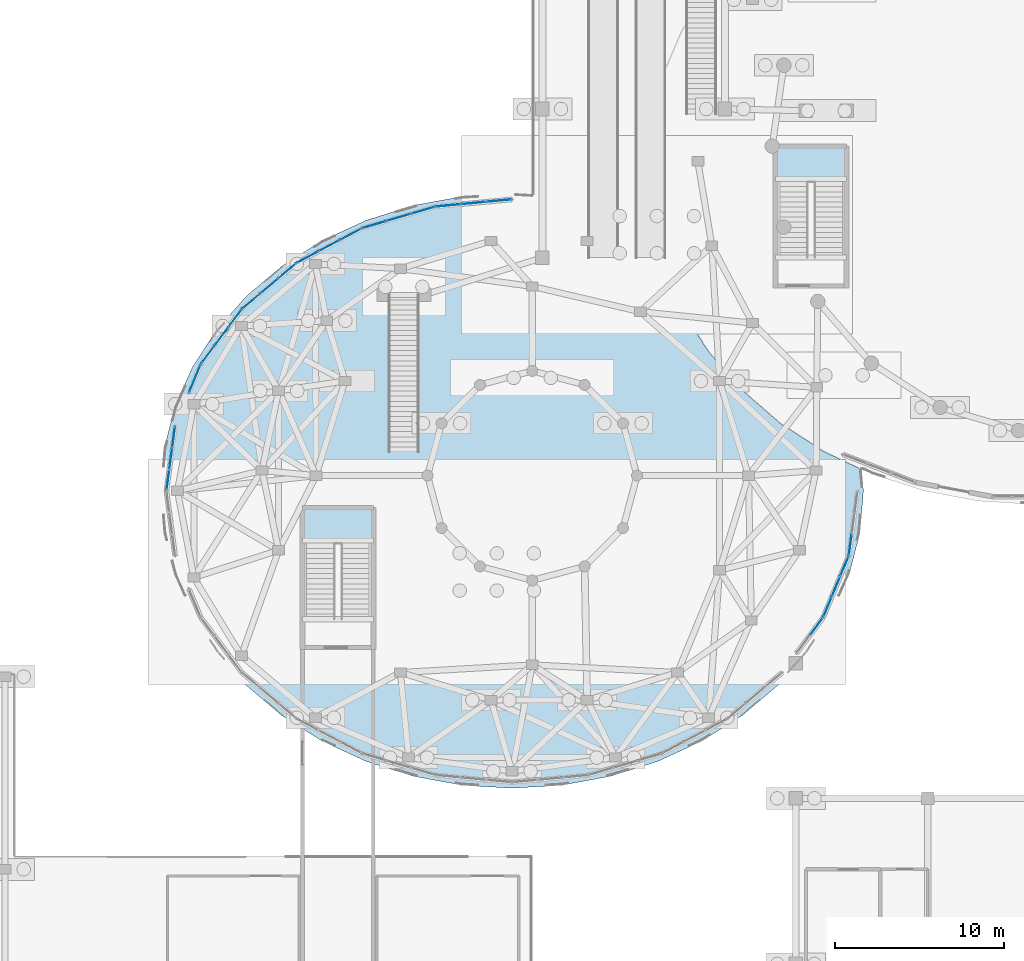
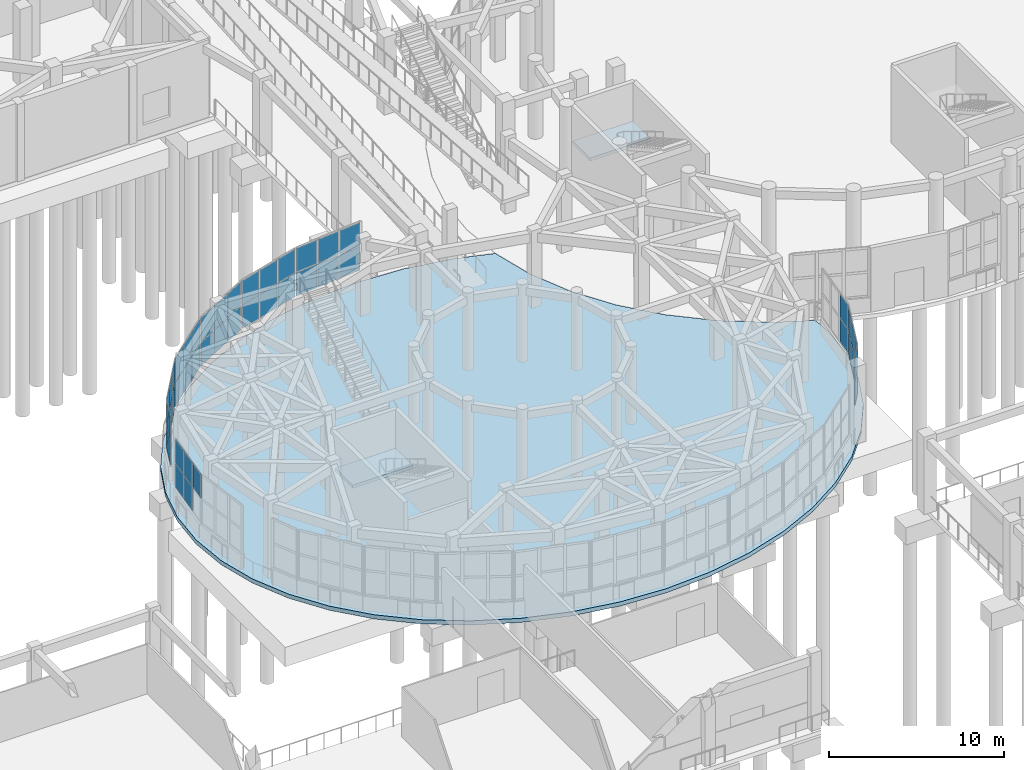
# One storey, part 60 of 96: 47 plates, 3 slabs, 12 elements without a shape of their own.
"""IFC4 building model written with IfcOpenShell, lengths in metres."""

from ifc_helpers import new_model, si_unit, direction, frame, origin, origin_2d, place, context, subcontext, project, spatial, polyline, rectangle, outline, extrude, material, layer, layer_set, type_object, element, aggregate, save


model = new_model("IFC4")

# Units and contexts
model_context = context("Model", 3, precision=1e-05, world=origin(), true_north=direction((0.0, 1.0)))
body_context = subcontext(model_context, "Body", "Model", "MODEL_VIEW")
ifc_project = project(units=[si_unit("LENGTHUNIT", "METRE"), si_unit("AREAUNIT", "SQUARE_METRE"), si_unit("VOLUMEUNIT", "CUBIC_METRE"), si_unit("PLANEANGLEUNIT", "RADIAN"), si_unit("MASSUNIT", "GRAM", prefix="KILO")], contexts=[model_context])

# Site, building, storey
site_placement = place(None, origin())
site = spatial("IfcSite", under=ifc_project, at=site_placement, CompositionType="ELEMENT")
building_placement = place(site_placement, origin())
building = spatial("IfcBuilding", under=site, at=building_placement, Name="Pelvatis Terrace Science Centre", CompositionType="ELEMENT")
storey_placement = place(building_placement, origin())
storey = spatial("IfcBuildingStorey", under=building, at=storey_placement, Name="L00", CompositionType="ELEMENT", Elevation=0.0)

# Curtain wall, plates
ifc_material_1 = material(Name="Bronze-anodised aluminium and laminated glass", Category="aluminium")
ifc_layer_1 = layer(ifc_material_1, 0.179931640625)
ifc_layer_set_1 = layer_set([ifc_layer_1], Name="Bronze-anodised aluminium and laminated glass")
curtain_wall_type = type_object("IfcCurtainWallType", Name="CW-RIBBON-A", PredefinedType="NOTDEFINED", material=ifc_layer_set_1)
curtain_wall_1_placement = place(storey_placement, origin())
curtain_wall_1 = element("IfcCurtainWall", 1, at=curtain_wall_1_placement, inside=storey, type_object=curtain_wall_type, Name="Ribbon curtain wall CW-001 (L00)", PredefinedType="NOTDEFINED")
ifc_material_2 = material(Name="Low-e laminated solar-control double glazing", Category="glass")
ifc_layer_2 = layer(ifc_material_2, 0.028076171875)
ifc_layer_set_2 = layer_set([ifc_layer_2], Name="Low-e laminated solar-control double glazing")
plate_type = type_object("IfcPlateType", Name="CWP-IGU-28", PredefinedType="CURTAIN_PANEL", material=ifc_layer_set_2)
plate_1_placement = place(storey_placement, frame((44.82666015625, 51.37646484375, 1.080078125), z_axis=(0.0, 0.0, 1.0), x_axis=(-0.995513840001, -0.094616036521, 0.0)))
plate_1 = element("IfcPlate", 2, at=plate_1_placement, type_object=plate_type, Name="CW-001 panel 1.1", PredefinedType="CURTAIN_PANEL", context=body_context, shape_type="SweptSolid", body=[
    extrude(rectangle(XDim=1.43359375, YDim=0.028076171875, at=origin_2d()), origin(), (0.0, 0.0, 1.0), 1.6298828125),
])
plate_2_placement = place(storey_placement, frame((44.82666015625, 51.37646484375, 2.77001953125), z_axis=(0.0, 0.0, 1.0), x_axis=(-0.995513840001, -0.094616036521, 0.0)))
plate_2 = element("IfcPlate", 3, at=plate_2_placement, type_object=plate_type, Name="CW-001 panel 1.2", PredefinedType="CURTAIN_PANEL", context=body_context, shape_type="SweptSolid", body=[
    extrude(rectangle(XDim=1.43359375, YDim=0.028076171875, at=origin_2d()), origin(), (0.0, 0.0, 1.0), 1.6298828125),
])
plate_3_placement = place(storey_placement, frame((43.32470703125, 51.233642578125, 1.080078125), z_axis=(0.0, 0.0, 1.0), x_axis=(-0.995513840001, -0.094616036521, 0.0)))
plate_3 = element("IfcPlate", 4, at=plate_3_placement, type_object=plate_type, Name="CW-001 panel 2.1", PredefinedType="CURTAIN_PANEL", context=body_context, shape_type="SweptSolid", body=[
    extrude(rectangle(XDim=1.463623046875, YDim=0.028076171875, at=origin_2d()), origin(), (0.0, 0.0, 1.0), 1.6298828125),
])
plate_4_placement = place(storey_placement, frame((43.32470703125, 51.233642578125, 2.77001953125), z_axis=(0.0, 0.0, 1.0), x_axis=(-0.995513840001, -0.094616036521, 0.0)))
plate_4 = element("IfcPlate", 5, at=plate_4_placement, type_object=plate_type, Name="CW-001 panel 2.2", PredefinedType="CURTAIN_PANEL", context=body_context, shape_type="SweptSolid", body=[
    extrude(rectangle(XDim=1.463623046875, YDim=0.028076171875, at=origin_2d()), origin(), (0.0, 0.0, 1.0), 1.6298828125),
])
plate_5_placement = place(storey_placement, frame((41.82275390625, 51.091064453125, 1.080078125), z_axis=(0.0, 0.0, 1.0), x_axis=(-0.995513840001, -0.094616036521, 0.0)))
plate_5 = element("IfcPlate", 6, at=plate_5_placement, type_object=plate_type, Name="CW-001 panel 3.1", PredefinedType="CURTAIN_PANEL", context=body_context, shape_type="SweptSolid", body=[
    extrude(rectangle(XDim=1.43359375, YDim=0.028076171875, at=origin_2d()), origin(), (0.0, 0.0, 1.0), 1.6298828125),
])
plate_6_placement = place(storey_placement, frame((41.82275390625, 51.091064453125, 2.77001953125), z_axis=(0.0, 0.0, 1.0), x_axis=(-0.995513840001, -0.094616036521, 0.0)))
plate_6 = element("IfcPlate", 7, at=plate_6_placement, type_object=plate_type, Name="CW-001 panel 3.2", PredefinedType="CURTAIN_PANEL", context=body_context, shape_type="SweptSolid", body=[
    extrude(rectangle(XDim=1.43359375, YDim=0.028076171875, at=origin_2d()), origin(), (0.0, 0.0, 1.0), 1.6298828125),
])
aggregate(curtain_wall_1, [plate_1, plate_2, plate_3, plate_4, plate_5, plate_6])

curtain_wall_2_placement = place(storey_placement, origin())
curtain_wall_2 = element("IfcCurtainWall", 8, at=curtain_wall_2_placement, inside=storey, type_object=curtain_wall_type, Name="Ribbon curtain wall CW-002 (L00)", PredefinedType="NOTDEFINED")
plate_7_placement = place(storey_placement, frame((40.314697265625, 50.800537109375, 1.080078125), z_axis=(0.0, 0.0, 1.0), x_axis=(-0.959092633575, -0.283092423463, 0.0)))
plate_7 = element("IfcPlate", 9, at=plate_7_placement, type_object=plate_type, Name="CW-002 panel 1.1", PredefinedType="CURTAIN_PANEL", context=body_context, shape_type="SweptSolid", body=[
    extrude(rectangle(XDim=1.412109375, YDim=0.028076171875, at=origin_2d()), origin(), (0.0, 0.0, 1.0), 1.6298828125),
])
plate_8_placement = place(storey_placement, frame((40.314697265625, 50.800537109375, 2.77001953125), z_axis=(0.0, 0.0, 1.0), x_axis=(-0.959092633575, -0.283092423463, 0.0)))
plate_8 = element("IfcPlate", 10, at=plate_8_placement, type_object=plate_type, Name="CW-002 panel 1.2", PredefinedType="CURTAIN_PANEL", context=body_context, shape_type="SweptSolid", body=[
    extrude(rectangle(XDim=1.412109375, YDim=0.028076171875, at=origin_2d()), origin(), (0.0, 0.0, 1.0), 1.6298828125),
])
plate_9_placement = place(storey_placement, frame((38.88818359375, 50.379638671875, 1.080078125), z_axis=(0.0, 0.0, 1.0), x_axis=(-0.959092633575, -0.283092423463, 0.0)))
plate_9 = element("IfcPlate", 11, at=plate_9_placement, type_object=plate_type, Name="CW-002 panel 2.1", PredefinedType="CURTAIN_PANEL", context=body_context, shape_type="SweptSolid", body=[
    extrude(rectangle(XDim=1.442138671875, YDim=0.028076171875, at=origin_2d()), origin(), (0.0, 0.0, 1.0), 1.6298828125),
])
plate_10_placement = place(storey_placement, frame((38.88818359375, 50.379638671875, 2.77001953125), z_axis=(0.0, 0.0, 1.0), x_axis=(-0.959092633575, -0.283092423463, 0.0)))
plate_10 = element("IfcPlate", 12, at=plate_10_placement, type_object=plate_type, Name="CW-002 panel 2.2", PredefinedType="CURTAIN_PANEL", context=body_context, shape_type="SweptSolid", body=[
    extrude(rectangle(XDim=1.442138671875, YDim=0.028076171875, at=origin_2d()), origin(), (0.0, 0.0, 1.0), 1.6298828125),
])
plate_11_placement = place(storey_placement, frame((37.4619140625, 49.95849609375, 1.080078125), z_axis=(0.0, 0.0, 1.0), x_axis=(-0.959092633575, -0.283092423463, 0.0)))
plate_11 = element("IfcPlate", 13, at=plate_11_placement, type_object=plate_type, Name="CW-002 panel 3.1", PredefinedType="CURTAIN_PANEL", context=body_context, shape_type="SweptSolid", body=[
    extrude(rectangle(XDim=1.412109375, YDim=0.028076171875, at=origin_2d()), origin(), (0.0, 0.0, 1.0), 1.6298828125),
])
plate_12_placement = place(storey_placement, frame((37.4619140625, 49.95849609375, 2.77001953125), z_axis=(0.0, 0.0, 1.0), x_axis=(-0.959092633575, -0.283092423463, 0.0)))
plate_12 = element("IfcPlate", 14, at=plate_12_placement, type_object=plate_type, Name="CW-002 panel 3.2", PredefinedType="CURTAIN_PANEL", context=body_context, shape_type="SweptSolid", body=[
    extrude(rectangle(XDim=1.412109375, YDim=0.028076171875, at=origin_2d()), origin(), (0.0, 0.0, 1.0), 1.6298828125),
])
aggregate(curtain_wall_2, [plate_7, plate_8, plate_9, plate_10, plate_11, plate_12])

curtain_wall_3_placement = place(storey_placement, origin())
curtain_wall_3 = element("IfcCurtainWall", 15, at=curtain_wall_3_placement, inside=storey, type_object=curtain_wall_type, Name="Ribbon curtain wall CW-003 (L00)", PredefinedType="NOTDEFINED")
plate_13_placement = place(storey_placement, frame((36.067626953125, 49.39208984375, 1.080078125), z_axis=(0.0, 0.0, 1.0), x_axis=(-0.88357054279, -0.468298084466, 0.0)))
plate_13 = element("IfcPlate", 16, at=plate_13_placement, type_object=plate_type, Name="CW-003 panel 1.1", PredefinedType="CURTAIN_PANEL", context=body_context, shape_type="SweptSolid", body=[
    extrude(rectangle(XDim=1.372802734375, YDim=0.028076171875, at=origin_2d()), origin(), (0.0, 0.0, 1.0), 1.6298828125),
])
plate_14_placement = place(storey_placement, frame((36.067626953125, 49.39208984375, 2.77001953125), z_axis=(0.0, 0.0, 1.0), x_axis=(-0.88357054279, -0.468298084466, 0.0)))
plate_14 = element("IfcPlate", 17, at=plate_14_placement, type_object=plate_type, Name="CW-003 panel 1.2", PredefinedType="CURTAIN_PANEL", context=body_context, shape_type="SweptSolid", body=[
    extrude(rectangle(XDim=1.372802734375, YDim=0.028076171875, at=origin_2d()), origin(), (0.0, 0.0, 1.0), 1.6298828125),
])
plate_15_placement = place(storey_placement, frame((34.788330078125, 48.714111328125, 1.080078125), z_axis=(0.0, 0.0, 1.0), x_axis=(-0.88357054279, -0.468298084466, 0.0)))
plate_15 = element("IfcPlate", 18, at=plate_15_placement, type_object=plate_type, Name="CW-003 panel 2.1", PredefinedType="CURTAIN_PANEL", context=body_context, shape_type="SweptSolid", body=[
    extrude(rectangle(XDim=1.40283203125, YDim=0.028076171875, at=origin_2d()), origin(), (0.0, 0.0, 1.0), 1.6298828125),
])
plate_16_placement = place(storey_placement, frame((34.788330078125, 48.714111328125, 2.77001953125), z_axis=(0.0, 0.0, 1.0), x_axis=(-0.88357054279, -0.468298084466, 0.0)))
plate_16 = element("IfcPlate", 19, at=plate_16_placement, type_object=plate_type, Name="CW-003 panel 2.2", PredefinedType="CURTAIN_PANEL", context=body_context, shape_type="SweptSolid", body=[
    extrude(rectangle(XDim=1.40283203125, YDim=0.028076171875, at=origin_2d()), origin(), (0.0, 0.0, 1.0), 1.6298828125),
])
plate_17_placement = place(storey_placement, frame((33.509033203125, 48.0361328125, 1.080078125), z_axis=(0.0, 0.0, 1.0), x_axis=(-0.88357054279, -0.468298084466, 0.0)))
plate_17 = element("IfcPlate", 20, at=plate_17_placement, type_object=plate_type, Name="CW-003 panel 3.1", PredefinedType="CURTAIN_PANEL", context=body_context, shape_type="SweptSolid", body=[
    extrude(rectangle(XDim=1.372802734375, YDim=0.028076171875, at=origin_2d()), origin(), (0.0, 0.0, 1.0), 1.6298828125),
])
plate_18_placement = place(storey_placement, frame((33.509033203125, 48.0361328125, 2.77001953125), z_axis=(0.0, 0.0, 1.0), x_axis=(-0.88357054279, -0.468298084466, 0.0)))
plate_18 = element("IfcPlate", 21, at=plate_18_placement, type_object=plate_type, Name="CW-003 panel 3.2", PredefinedType="CURTAIN_PANEL", context=body_context, shape_type="SweptSolid", body=[
    extrude(rectangle(XDim=1.372802734375, YDim=0.028076171875, at=origin_2d()), origin(), (0.0, 0.0, 1.0), 1.6298828125),
])
aggregate(curtain_wall_3, [plate_13, plate_14, plate_15, plate_16, plate_17, plate_18])

curtain_wall_4_placement = place(storey_placement, origin())
curtain_wall_4 = element("IfcCurtainWall", 22, at=curtain_wall_4_placement, inside=storey, type_object=curtain_wall_type, Name="Ribbon curtain wall CW-004 (L00)", PredefinedType="NOTDEFINED")
plate_19_placement = place(storey_placement, frame((32.29833984375, 47.2216796875, 1.080078125), z_axis=(0.0, 0.0, 1.0), x_axis=(-0.764378372192, -0.64476794595, 0.0)))
plate_19 = element("IfcPlate", 23, at=plate_19_placement, type_object=plate_type, Name="CW-004 panel 1.1", PredefinedType="CURTAIN_PANEL", context=body_context, shape_type="SweptSolid", body=[
    extrude(rectangle(XDim=1.322021484375, YDim=0.028076171875, at=origin_2d()), origin(), (0.0, 0.0, 1.0), 1.6298828125),
])
plate_20_placement = place(storey_placement, frame((32.29833984375, 47.2216796875, 2.77001953125), z_axis=(0.0, 0.0, 1.0), x_axis=(-0.764378372192, -0.64476794595, 0.0)))
plate_20 = element("IfcPlate", 24, at=plate_20_placement, type_object=plate_type, Name="CW-004 panel 1.2", PredefinedType="CURTAIN_PANEL", context=body_context, shape_type="SweptSolid", body=[
    extrude(rectangle(XDim=1.322021484375, YDim=0.028076171875, at=origin_2d()), origin(), (0.0, 0.0, 1.0), 1.6298828125),
])
plate_21_placement = place(storey_placement, frame((31.23046875, 46.32080078125, 1.080078125), z_axis=(0.0, 0.0, 1.0), x_axis=(-0.764378372192, -0.64476794595, 0.0)))
plate_21 = element("IfcPlate", 25, at=plate_21_placement, type_object=plate_type, Name="CW-004 panel 2.1", PredefinedType="CURTAIN_PANEL", context=body_context, shape_type="SweptSolid", body=[
    extrude(rectangle(XDim=1.35205078125, YDim=0.028076171875, at=origin_2d()), origin(), (0.0, 0.0, 1.0), 1.6298828125),
])
plate_22_placement = place(storey_placement, frame((31.23046875, 46.32080078125, 2.77001953125), z_axis=(0.0, 0.0, 1.0), x_axis=(-0.764378372192, -0.64476794595, 0.0)))
plate_22 = element("IfcPlate", 26, at=plate_22_placement, type_object=plate_type, Name="CW-004 panel 2.2", PredefinedType="CURTAIN_PANEL", context=body_context, shape_type="SweptSolid", body=[
    extrude(rectangle(XDim=1.35205078125, YDim=0.028076171875, at=origin_2d()), origin(), (0.0, 0.0, 1.0), 1.6298828125),
])
plate_23_placement = place(storey_placement, frame((30.16259765625, 45.420166015625, 1.080078125), z_axis=(0.0, 0.0, 1.0), x_axis=(-0.764378372192, -0.64476794595, 0.0)))
plate_23 = element("IfcPlate", 27, at=plate_23_placement, type_object=plate_type, Name="CW-004 panel 3.1", PredefinedType="CURTAIN_PANEL", context=body_context, shape_type="SweptSolid", body=[
    extrude(rectangle(XDim=1.322021484375, YDim=0.028076171875, at=origin_2d()), origin(), (0.0, 0.0, 1.0), 1.6298828125),
])
plate_24_placement = place(storey_placement, frame((30.16259765625, 45.420166015625, 2.77001953125), z_axis=(0.0, 0.0, 1.0), x_axis=(-0.764378372192, -0.64476794595, 0.0)))
plate_24 = element("IfcPlate", 28, at=plate_24_placement, type_object=plate_type, Name="CW-004 panel 3.2", PredefinedType="CURTAIN_PANEL", context=body_context, shape_type="SweptSolid", body=[
    extrude(rectangle(XDim=1.322021484375, YDim=0.028076171875, at=origin_2d()), origin(), (0.0, 0.0, 1.0), 1.6298828125),
])
aggregate(curtain_wall_4, [plate_19, plate_20, plate_21, plate_22, plate_23, plate_24])

curtain_wall_5_placement = place(storey_placement, origin())
curtain_wall_5 = element("IfcCurtainWall", 29, at=curtain_wall_5_placement, inside=storey, type_object=curtain_wall_type, Name="Ribbon curtain wall CW-005 (L00)", PredefinedType="NOTDEFINED")
plate_25_placement = place(storey_placement, frame((29.196533203125, 44.39794921875, 1.080078125), z_axis=(0.0, 0.0, 1.0), x_axis=(-0.597372187903, -0.801964132065, 0.0)))
plate_25 = element("IfcPlate", 30, at=plate_25_placement, type_object=plate_type, Name="CW-005 panel 1.1", PredefinedType="CURTAIN_PANEL", context=body_context, shape_type="SweptSolid", body=[
    extrude(rectangle(XDim=1.26953125, YDim=0.028076171875, at=origin_2d()), origin(), (0.0, 0.0, 1.0), 1.6298828125),
])
plate_26_placement = place(storey_placement, frame((29.196533203125, 44.39794921875, 2.77001953125), z_axis=(0.0, 0.0, 1.0), x_axis=(-0.597372187903, -0.801964132065, 0.0)))
plate_26 = element("IfcPlate", 31, at=plate_26_placement, type_object=plate_type, Name="CW-005 panel 1.2", PredefinedType="CURTAIN_PANEL", context=body_context, shape_type="SweptSolid", body=[
    extrude(rectangle(XDim=1.26953125, YDim=0.028076171875, at=origin_2d()), origin(), (0.0, 0.0, 1.0), 1.6298828125),
])
plate_27_placement = place(storey_placement, frame((28.393310546875, 43.31982421875, 1.080078125), z_axis=(0.0, 0.0, 1.0), x_axis=(-0.597372187903, -0.801964132065, 0.0)))
plate_27 = element("IfcPlate", 32, at=plate_27_placement, type_object=plate_type, Name="CW-005 panel 2.1", PredefinedType="CURTAIN_PANEL", context=body_context, shape_type="SweptSolid", body=[
    extrude(rectangle(XDim=1.299560546875, YDim=0.028076171875, at=origin_2d()), origin(), (0.0, 0.0, 1.0), 1.6298828125),
])
plate_28_placement = place(storey_placement, frame((28.393310546875, 43.31982421875, 2.77001953125), z_axis=(0.0, 0.0, 1.0), x_axis=(-0.597372187903, -0.801964132065, 0.0)))
plate_28 = element("IfcPlate", 33, at=plate_28_placement, type_object=plate_type, Name="CW-005 panel 2.2", PredefinedType="CURTAIN_PANEL", context=body_context, shape_type="SweptSolid", body=[
    extrude(rectangle(XDim=1.299560546875, YDim=0.028076171875, at=origin_2d()), origin(), (0.0, 0.0, 1.0), 1.6298828125),
])
plate_29_placement = place(storey_placement, frame((27.59033203125, 42.24169921875, 1.080078125), z_axis=(0.0, 0.0, 1.0), x_axis=(-0.597372187903, -0.801964132065, 0.0)))
plate_29 = element("IfcPlate", 34, at=plate_29_placement, type_object=plate_type, Name="CW-005 panel 3.1", PredefinedType="CURTAIN_PANEL", context=body_context, shape_type="SweptSolid", body=[
    extrude(rectangle(XDim=1.26953125, YDim=0.028076171875, at=origin_2d()), origin(), (0.0, 0.0, 1.0), 1.6298828125),
])
plate_30_placement = place(storey_placement, frame((27.59033203125, 42.24169921875, 2.77001953125), z_axis=(0.0, 0.0, 1.0), x_axis=(-0.597372187903, -0.801964132065, 0.0)))
plate_30 = element("IfcPlate", 35, at=plate_30_placement, type_object=plate_type, Name="CW-005 panel 3.2", PredefinedType="CURTAIN_PANEL", context=body_context, shape_type="SweptSolid", body=[
    extrude(rectangle(XDim=1.26953125, YDim=0.028076171875, at=origin_2d()), origin(), (0.0, 0.0, 1.0), 1.6298828125),
])
aggregate(curtain_wall_5, [plate_25, plate_26, plate_27, plate_28, plate_29, plate_30])

curtain_wall_6_placement = place(storey_placement, origin())
curtain_wall_6 = element("IfcCurtainWall", 36, at=curtain_wall_6_placement, inside=storey, type_object=curtain_wall_type, Name="Ribbon curtain wall CW-006 (L00)", PredefinedType="NOTDEFINED")
plate_31_placement = place(storey_placement, frame((26.824462890625, 40.839111328125, 1.080078125), z_axis=(0.0, 0.0, 1.0), x_axis=(-0.383179855854, -0.923673750881, 0.0)))
plate_31 = element("IfcPlate", 37, at=plate_31_placement, type_object=plate_type, Name="CW-006 panel 1.1", PredefinedType="CURTAIN_PANEL", context=body_context, shape_type="SweptSolid", body=[
    extrude(rectangle(XDim=1.710693359375, YDim=0.028076171875, at=origin_2d()), origin(), (0.0, 0.0, 1.0), 1.6298828125),
])
plate_32_placement = place(storey_placement, frame((26.824462890625, 40.839111328125, 2.77001953125), z_axis=(0.0, 0.0, 1.0), x_axis=(-0.383179855854, -0.923673750881, 0.0)))
plate_32 = element("IfcPlate", 38, at=plate_32_placement, type_object=plate_type, Name="CW-006 panel 1.2", PredefinedType="CURTAIN_PANEL", context=body_context, shape_type="SweptSolid", body=[
    extrude(rectangle(XDim=1.710693359375, YDim=0.028076171875, at=origin_2d()), origin(), (0.0, 0.0, 1.0), 1.6298828125),
])
aggregate(curtain_wall_6, [plate_31, plate_32])

curtain_wall_7_placement = place(storey_placement, origin())
curtain_wall_7 = element("IfcCurtainWall", 39, at=curtain_wall_7_placement, inside=storey, type_object=curtain_wall_type, Name="Ribbon curtain wall CW-007 (L00)", PredefinedType="NOTDEFINED")
plate_33_placement = place(storey_placement, frame((25.5751953125, 37.3837890625, 1.080078125), z_axis=(0.0, 0.0, 1.0), x_axis=(-0.132392059832, -0.991197428615, 0.0)))
plate_33 = element("IfcPlate", 40, at=plate_33_placement, type_object=plate_type, Name="CW-007 panel 1.1", PredefinedType="CURTAIN_PANEL", context=body_context, shape_type="SweptSolid", body=[
    extrude(rectangle(XDim=1.200927734375, YDim=0.028076171875, at=origin_2d()), origin(), (0.0, 0.0, 1.0), 1.6298828125),
])
plate_34_placement = place(storey_placement, frame((25.5751953125, 37.3837890625, 2.77001953125), z_axis=(0.0, 0.0, 1.0), x_axis=(-0.132392059832, -0.991197428615, 0.0)))
plate_34 = element("IfcPlate", 41, at=plate_34_placement, type_object=plate_type, Name="CW-007 panel 1.2", PredefinedType="CURTAIN_PANEL", context=body_context, shape_type="SweptSolid", body=[
    extrude(rectangle(XDim=1.200927734375, YDim=0.028076171875, at=origin_2d()), origin(), (0.0, 0.0, 1.0), 1.6298828125),
])
plate_35_placement = place(storey_placement, frame((25.40625, 36.119140625, 1.080078125), z_axis=(0.0, 0.0, 1.0), x_axis=(-0.132392059832, -0.991197428615, 0.0)))
plate_35 = element("IfcPlate", 42, at=plate_35_placement, type_object=plate_type, Name="CW-007 panel 2.1", PredefinedType="CURTAIN_PANEL", context=body_context, shape_type="SweptSolid", body=[
    extrude(rectangle(XDim=1.23095703125, YDim=0.028076171875, at=origin_2d()), origin(), (0.0, 0.0, 1.0), 1.6298828125),
])
plate_36_placement = place(storey_placement, frame((25.40625, 36.119140625, 2.77001953125), z_axis=(0.0, 0.0, 1.0), x_axis=(-0.132392059832, -0.991197428615, 0.0)))
plate_36 = element("IfcPlate", 43, at=plate_36_placement, type_object=plate_type, Name="CW-007 panel 2.2", PredefinedType="CURTAIN_PANEL", context=body_context, shape_type="SweptSolid", body=[
    extrude(rectangle(XDim=1.23095703125, YDim=0.028076171875, at=origin_2d()), origin(), (0.0, 0.0, 1.0), 1.6298828125),
])
plate_37_placement = place(storey_placement, frame((25.237548828125, 34.854736328125, 2.77001953125), z_axis=(0.0, 0.0, 1.0), x_axis=(-0.132392059832, -0.991197428615, 0.0)))
plate_37 = element("IfcPlate", 44, at=plate_37_placement, type_object=plate_type, Name="CW-007 panel 3.2", PredefinedType="CURTAIN_PANEL", context=body_context, shape_type="SweptSolid", body=[
    extrude(rectangle(XDim=1.200927734375, YDim=0.028076171875, at=origin_2d()), origin(), (0.0, 0.0, 1.0), 1.6298828125),
])
aggregate(curtain_wall_7, [plate_33, plate_34, plate_35, plate_36, plate_37])

curtain_wall_8_placement = place(storey_placement, origin())
curtain_wall_8 = element("IfcCurtainWall", 45, at=curtain_wall_8_placement, inside=storey, type_object=curtain_wall_type, Name="Ribbon curtain wall CW-019 (L00)", PredefinedType="NOTDEFINED")
plate_38_placement = place(storey_placement, frame((63.620361328125, 26.172607421875, 1.080078125), z_axis=(0.0, 0.0, 1.0), x_axis=(0.597356582672, 0.801975755954, 0.0)))
plate_38 = element("IfcPlate", 46, at=plate_38_placement, type_object=plate_type, Name="CW-019 panel 2.1", PredefinedType="CURTAIN_PANEL", context=body_context, shape_type="SweptSolid", body=[
    extrude(rectangle(XDim=1.234130859375, YDim=0.028076171875, at=origin_2d()), origin(), (0.0, 0.0, 1.0), 1.6298828125),
])
plate_39_placement = place(storey_placement, frame((63.620361328125, 26.172607421875, 2.77001953125), z_axis=(0.0, 0.0, 1.0), x_axis=(0.597356582672, 0.801975755954, 0.0)))
plate_39 = element("IfcPlate", 47, at=plate_39_placement, type_object=plate_type, Name="CW-019 panel 2.2", PredefinedType="CURTAIN_PANEL", context=body_context, shape_type="SweptSolid", body=[
    extrude(rectangle(XDim=1.234130859375, YDim=0.028076171875, at=origin_2d()), origin(), (0.0, 0.0, 1.0), 1.6298828125),
])
aggregate(curtain_wall_8, [plate_38, plate_39])

curtain_wall_9_placement = place(storey_placement, origin())
curtain_wall_9 = element("IfcCurtainWall", 48, at=curtain_wall_9_placement, inside=storey, type_object=curtain_wall_type, Name="Ribbon curtain wall CW-020 (L00)", PredefinedType="NOTDEFINED")
plate_40_placement = place(storey_placement, frame((64.28271484375, 27.3369140625, 1.080078125), z_axis=(0.0, 0.0, 1.0), x_axis=(0.383175829546, 0.923675421158, 0.0)))
plate_40 = element("IfcPlate", 49, at=plate_40_placement, type_object=plate_type, Name="CW-020 panel 1.1", PredefinedType="CURTAIN_PANEL", context=body_context, shape_type="SweptSolid", body=[
    extrude(rectangle(XDim=1.225830078125, YDim=0.028076171875, at=origin_2d()), origin(), (0.0, 0.0, 1.0), 1.6298828125),
])
plate_41_placement = place(storey_placement, frame((64.28271484375, 27.3369140625, 2.77001953125), z_axis=(0.0, 0.0, 1.0), x_axis=(0.383175829546, 0.923675421158, 0.0)))
plate_41 = element("IfcPlate", 50, at=plate_41_placement, type_object=plate_type, Name="CW-020 panel 1.2", PredefinedType="CURTAIN_PANEL", context=body_context, shape_type="SweptSolid", body=[
    extrude(rectangle(XDim=1.225830078125, YDim=0.028076171875, at=origin_2d()), origin(), (0.0, 0.0, 1.0), 1.6298828125),
])
plate_42_placement = place(storey_placement, frame((64.781005859375, 28.53857421875, 1.080078125), z_axis=(0.0, 0.0, 1.0), x_axis=(0.383175829546, 0.923675421158, 0.0)))
plate_42 = element("IfcPlate", 51, at=plate_42_placement, type_object=plate_type, Name="CW-020 panel 2.1", PredefinedType="CURTAIN_PANEL", context=body_context, shape_type="SweptSolid", body=[
    extrude(rectangle(XDim=1.255859375, YDim=0.028076171875, at=origin_2d()), origin(), (0.0, 0.0, 1.0), 1.6298828125),
])
plate_43_placement = place(storey_placement, frame((64.781005859375, 28.53857421875, 2.77001953125), z_axis=(0.0, 0.0, 1.0), x_axis=(0.383175829546, 0.923675421158, 0.0)))
plate_43 = element("IfcPlate", 52, at=plate_43_placement, type_object=plate_type, Name="CW-020 panel 2.2", PredefinedType="CURTAIN_PANEL", context=body_context, shape_type="SweptSolid", body=[
    extrude(rectangle(XDim=1.255859375, YDim=0.028076171875, at=origin_2d()), origin(), (0.0, 0.0, 1.0), 1.6298828125),
])
plate_44_placement = place(storey_placement, frame((65.279541015625, 29.739990234375, 1.080078125), z_axis=(0.0, 0.0, 1.0), x_axis=(0.383175829546, 0.923675421158, 0.0)))
plate_44 = element("IfcPlate", 53, at=plate_44_placement, type_object=plate_type, Name="CW-020 panel 3.1", PredefinedType="CURTAIN_PANEL", context=body_context, shape_type="SweptSolid", body=[
    extrude(rectangle(XDim=1.225830078125, YDim=0.028076171875, at=origin_2d()), origin(), (0.0, 0.0, 1.0), 1.6298828125),
])
plate_45_placement = place(storey_placement, frame((65.279541015625, 29.739990234375, 2.77001953125), z_axis=(0.0, 0.0, 1.0), x_axis=(0.383175829546, 0.923675421158, 0.0)))
plate_45 = element("IfcPlate", 54, at=plate_45_placement, type_object=plate_type, Name="CW-020 panel 3.2", PredefinedType="CURTAIN_PANEL", context=body_context, shape_type="SweptSolid", body=[
    extrude(rectangle(XDim=1.225830078125, YDim=0.028076171875, at=origin_2d()), origin(), (0.0, 0.0, 1.0), 1.6298828125),
])
aggregate(curtain_wall_9, [plate_40, plate_41, plate_42, plate_43, plate_44, plate_45])

curtain_wall_10_placement = place(storey_placement, origin())
curtain_wall_10 = element("IfcCurtainWall", 55, at=curtain_wall_10_placement, inside=storey, type_object=curtain_wall_type, Name="Ribbon curtain wall CW-021 (L00)", PredefinedType="NOTDEFINED")
plate_46_placement = place(storey_placement, frame((65.624755859375, 31.01611328125, 1.080078125), z_axis=(0.0, 0.0, 1.0), x_axis=(0.132392059832, 0.991197428615, 0.0)))
plate_46 = element("IfcPlate", 56, at=plate_46_placement, type_object=plate_type, Name="CW-021 panel 1.1", PredefinedType="CURTAIN_PANEL", context=body_context, shape_type="SweptSolid", body=[
    extrude(rectangle(XDim=1.200927734375, YDim=0.028076171875, at=origin_2d()), origin(), (0.0, 0.0, 1.0), 1.6298828125),
])
plate_47_placement = place(storey_placement, frame((65.624755859375, 31.01611328125, 2.77001953125), z_axis=(0.0, 0.0, 1.0), x_axis=(0.132392059832, 0.991197428615, 0.0)))
plate_47 = element("IfcPlate", 57, at=plate_47_placement, type_object=plate_type, Name="CW-021 panel 1.2", PredefinedType="CURTAIN_PANEL", context=body_context, shape_type="SweptSolid", body=[
    extrude(rectangle(XDim=1.200927734375, YDim=0.028076171875, at=origin_2d()), origin(), (0.0, 0.0, 1.0), 1.6298828125),
])
aggregate(curtain_wall_10, [plate_46, plate_47])

# Slab
ifc_material_3 = material(Name="Concrete C35/45", Category="concrete")
ifc_layer_3 = layer(ifc_material_3, 0.2900390625)
ifc_layer_set_3 = layer_set([ifc_layer_3], Name="Concrete C35/45")
slab_type_1 = type_object("IfcSlabType", Name="SLB-BASE-290", PredefinedType="BASESLAB", material=ifc_layer_set_3)
slab_1_placement = place(storey_placement, frame((0.0, 0.0, -0.2900390625)))
element("IfcSlab", 58, at=slab_1_placement, inside=storey, type_object=slab_type_1, Name="L00 Entrance Oculus Rotunda nested spiral slab", PredefinedType="BASESLAB", context=body_context, shape_type="SweptSolid", body=[
    extrude(outline(polyline([(66.188232421875, 31.6953125), (65.5576171875, 29.241455078125), (64.520263671875, 26.888671875), (63.09814453125, 24.684814453125), (61.319580078125, 22.674560546875), (59.22119140625, 20.898681640625), (56.84521484375, 19.393798828125), (54.240478515625, 18.1904296875), (51.4599609375, 17.31298828125), (48.56005859375, 16.779052734375), (45.60009765625, 16.60009765625), (42.639892578125, 16.779052734375), (39.739990234375, 17.31298828125), (36.95947265625, 18.1904296875), (34.354736328125, 19.393798828125), (31.97900390625, 20.898681640625), (29.88037109375, 22.674560546875), (28.101806640625, 24.684814453125), (26.6796875, 26.888671875), (25.642578125, 29.241455078125), (25.01171875, 31.6953125), (24.800048828125, 34.199951171875), (25.01171875, 36.70458984375), (25.642578125, 39.158447265625), (26.6796875, 41.51123046875), (28.101806640625, 43.71533203125), (29.88037109375, 45.7255859375), (31.97900390625, 47.501220703125), (34.354736328125, 49.006103515625), (36.95947265625, 50.20947265625), (39.739990234375, 51.087158203125), (42.639892578125, 51.620849609375), (45.60009765625, 51.800048828125), (48.56005859375, 51.620849609375), (51.4599609375, 51.087158203125), (53.821533203125, 50.341796875), (54.504638671875, 47.615234375), (55.64208984375, 44.966796875), (57.204345703125, 42.482177734375), (59.15576171875, 40.21875), (61.4560546875, 38.22119140625), (64.0625, 36.5263671875), (66.292724609375, 35.468505859375), (66.39990234375, 34.199951171875), (66.188232421875, 31.6953125)])), origin(), (0.0, 0.0, 1.0), 0.2900390625),
])

# Stair, slab
ifc_material_4 = material(Name="Concrete C35/45", Category="concrete")
stair_type = type_object("IfcStairType", Name="STR-2RUN-1650-54", PredefinedType="TWO_STRAIGHT_RUN_STAIR", material=ifc_material_4)
stair_1_placement = place(storey_placement, origin())
stair_1 = element("IfcStair", 59, at=stair_1_placement, inside=storey, type_object=stair_type, Name="Protected exit stair ST-05-L00", PredefinedType="TWO_STRAIGHT_RUN_STAIR")
ifc_material_5 = material(Name="Concrete C35/45", Category="concrete")
ifc_layer_4 = layer(ifc_material_5, 0.215087890625)
ifc_layer_set_4 = layer_set([ifc_layer_4], Name="Concrete C35/45")
slab_type_2 = type_object("IfcSlabType", Name="SLB-LND-215", PredefinedType="LANDING", material=ifc_layer_set_4)
slab_2_placement = place(storey_placement, frame((0.0, 0.0, 2.485107421875)))
slab_2 = element("IfcSlab", 60, at=slab_2_placement, type_object=slab_type_2, Name="ST-05-L00 landing 1", PredefinedType="LANDING", context=body_context, shape_type="SweptSolid", body=[
    extrude(outline(polyline([(61.31005859375, 52.5), (65.2900390625, 52.5), (65.2900390625, 54.489990234375), (61.31005859375, 54.489990234375), (61.31005859375, 52.5)])), origin(), (0.0, 0.0, 1.0), 0.21484375),
])
aggregate(stair_1, [slab_2])

stair_2_placement = place(storey_placement, origin())
stair_2 = element("IfcStair", 61, at=stair_2_placement, inside=storey, type_object=stair_type, Name="Protected exit stair ST-08-L00", PredefinedType="TWO_STRAIGHT_RUN_STAIR")
slab_3_placement = place(storey_placement, frame((0.0, 0.0, 2.485107421875)))
slab_3 = element("IfcSlab", 62, at=slab_3_placement, type_object=slab_type_2, Name="ST-08-L00 landing 1", PredefinedType="LANDING", context=body_context, shape_type="SweptSolid", body=[
    extrude(outline(polyline([(33.31005859375, 31.10009765625), (37.2900390625, 31.10009765625), (37.2900390625, 33.090087890625), (33.31005859375, 33.090087890625), (33.31005859375, 31.10009765625)])), origin(), (0.0, 0.0, 1.0), 0.21484375),
])
aggregate(stair_2, [slab_3])

save(model, "model.ifc")
